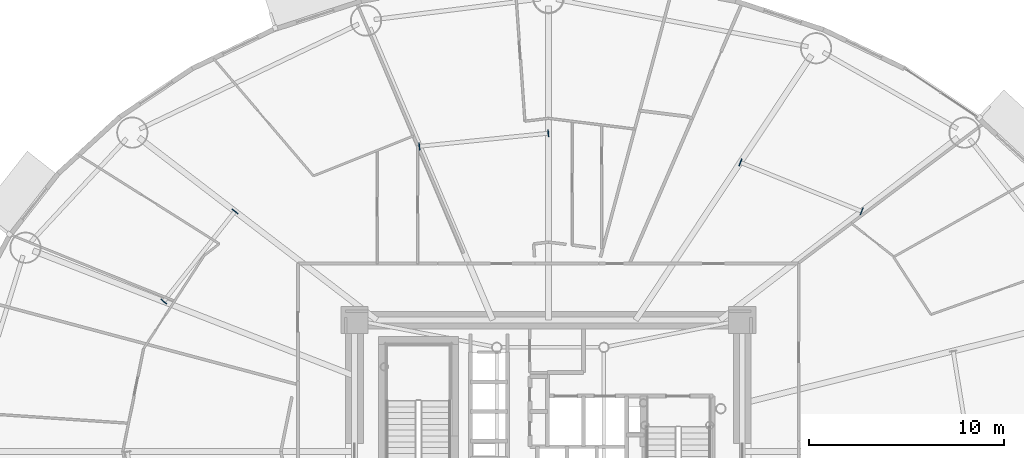
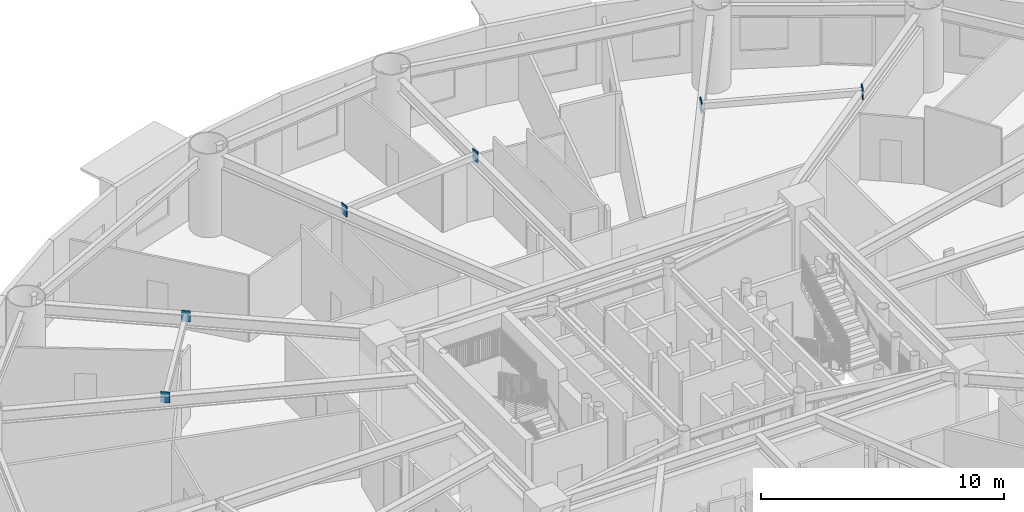
# One storey, part 9 of 24: 6 plates.
"""IFC4 building model written with IfcOpenShell, lengths in metres."""

from ifc_helpers import new_model, si_unit, direction, frame, origin, origin_2d, place, context, subcontext, project, spatial, rectangle, extrude, source, transform, mapped, material, layer, layer_set, type_object, element, save


model = new_model("IFC4")

# Units and contexts
model_context = context("Model", 3, precision=1e-05, world=origin(), true_north=direction((0.0, 1.0)))
body_context = subcontext(model_context, "Body", "Model", "MODEL_VIEW")
ifc_project = project(units=[si_unit("LENGTHUNIT", "METRE"), si_unit("AREAUNIT", "SQUARE_METRE"), si_unit("VOLUMEUNIT", "CUBIC_METRE"), si_unit("PLANEANGLEUNIT", "RADIAN"), si_unit("MASSUNIT", "GRAM", prefix="KILO")], contexts=[model_context])

# Site, building, storey
site_placement = place(None, origin())
site = spatial("IfcSite", under=ifc_project, at=site_placement, CompositionType="ELEMENT")
building_placement = place(site_placement, origin())
building = spatial("IfcBuilding", under=site, at=building_placement, Name="Linh Dai School and Residence Tower", CompositionType="ELEMENT")
storey_placement = place(building_placement, frame((0.0, 0.0, 74.39990234375)))
storey = spatial("IfcBuildingStorey", under=building, at=storey_placement, Name="L17", CompositionType="ELEMENT", Elevation=74.39990234375)

# Plates
ifc_material = material(Name="Structural Steel S355JR", Category="steel")
ifc_layer = layer(ifc_material, 0.0400390625)
ifc_layer_set = layer_set([ifc_layer], Name="Structural Steel S355JR")
plate_type = type_object("IfcPlateType", Name="PLT-GP1", PredefinedType="USERDEFINED", material=ifc_layer_set)
shared_shape = source(origin(), body_context, "Body", "SweptSolid", [
    extrude(rectangle(XDim=0.0400390625, YDim=0.3798828125, at=origin_2d()), origin(), (0.0, 0.0, 1.0), 0.5400390625),
])
for number, where, z_axis, x_axis, name in (
    (1, (52.078125, 39.3310546875, 3.530029296875), (0.0, 0.0, 1.0), (-0.927536459105, 0.373732681245, 0.0), "L17 Secondary Beam End Plate 02A"),
    (2, (45.8544921875, 41.838623046875, 3.530029296875), (0.0, 0.0, 1.0), (-0.927536459105, 0.373732681245, 0.0), "L17 Secondary Beam End Plate 02B"),
    (3, (35.9951171875, 43.3369140625, 3.530029296875), (0.0, 0.0, 1.0), (-0.994884100574, -0.101022900497, 0.0), "L17 Secondary Beam End Plate 03A"),
    (4, (29.378173828125, 42.6650390625, 3.530029296875), (0.0, 0.0, 1.0), (-0.994884100574, -0.101022900497, 0.0), "L17 Secondary Beam End Plate 03B"),
    (5, (19.914306640625, 39.3251953125, 3.530029296875), (0.0, 0.0, 1.0), (-0.620177637481, -0.784461406297, 0.0), "L17 Secondary Beam End Plate 04A"),
    (6, (16.259521484375, 34.702392578125, 3.530029296875), (0.0, 0.0, 1.0), (-0.620177637481, -0.784461406297, 0.0), "L17 Secondary Beam End Plate 04B"),
):
    element("IfcPlate", number, at=place(storey_placement, frame(where, z_axis=z_axis, x_axis=x_axis)), inside=storey, type_object=plate_type, Name=name, ObjectType="GUSSET PLATE", PredefinedType="USERDEFINED", context=body_context, shape_type="MappedRepresentation", body=[
        mapped(shared_shape, transform((0.0, 0.0, 0.0), x_axis=(1.0, 0.0, 0.0), y_axis=(0.0, 1.0, 0.0), z_axis=(0.0, 0.0, 1.0), scale=1.0)),
    ])

save(model, "model.ifc")
